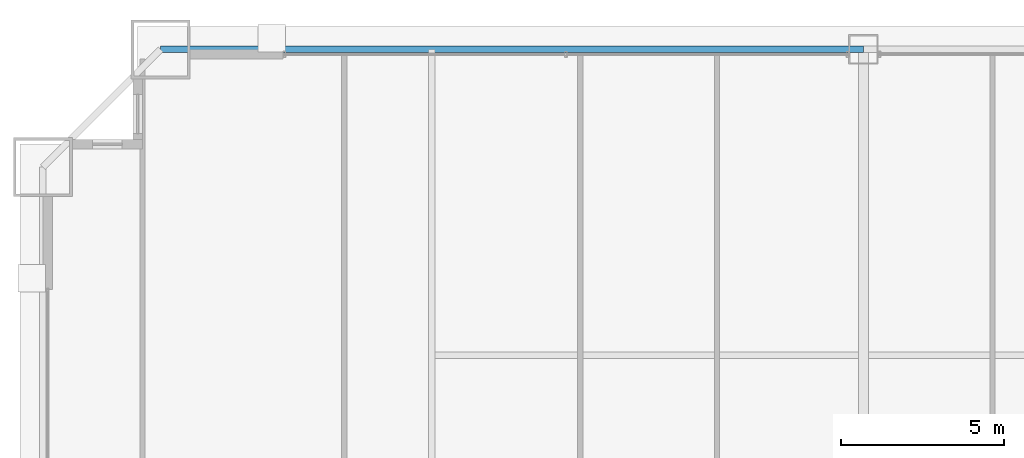
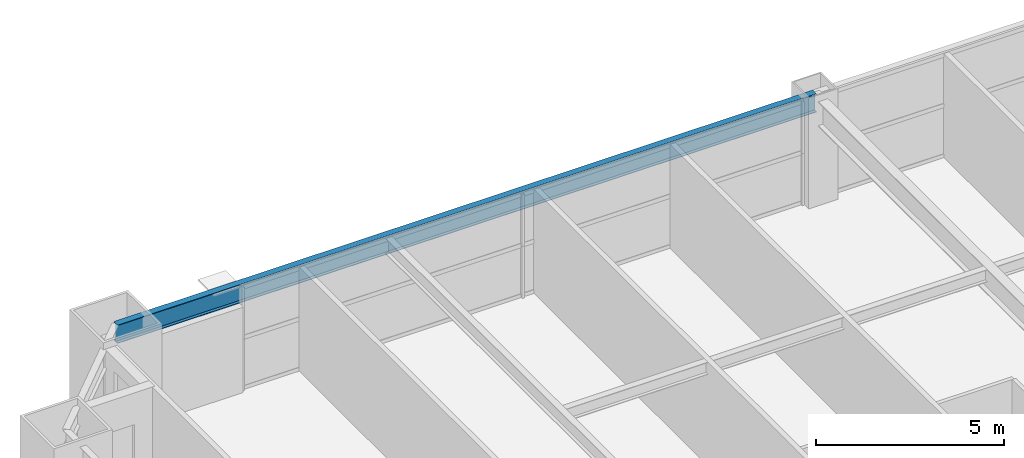
# One storey, part 28 of 45: 1 beam.
"""IFC4 building model written with IfcOpenShell, lengths in metres."""

from ifc_helpers import new_model, si_unit, direction, frame, origin, origin_2d, place, context, subcontext, project, spatial, i_section, extrude, source, transform, mapped, material, material_profile, profile_set, type_object, element, save


model = new_model("IFC4")

# Units and contexts
model_context = context("Model", 3, precision=1e-05, world=origin(), true_north=direction((0.0, 1.0)))
body_context = subcontext(model_context, "Body", "Model", "MODEL_VIEW")
ifc_project = project(units=[si_unit("LENGTHUNIT", "METRE"), si_unit("AREAUNIT", "SQUARE_METRE"), si_unit("VOLUMEUNIT", "CUBIC_METRE"), si_unit("PLANEANGLEUNIT", "RADIAN"), si_unit("MASSUNIT", "GRAM", prefix="KILO"), si_unit("THERMODYNAMICTEMPERATUREUNIT", "KELVIN"), si_unit("POWERUNIT", "WATT")], contexts=[model_context])

# Site, building, storey
site_placement = place(None, origin())
site = spatial("IfcSite", under=ifc_project, at=site_placement, CompositionType="ELEMENT")
building_placement = place(site_placement, origin())
building = spatial("IfcBuilding", under=site, at=building_placement, Name="Yuzanri Waterfront Tower", CompositionType="ELEMENT")
storey_placement = place(building_placement, frame((0.0, 0.0, 49.60009765625)))
storey = spatial("IfcBuildingStorey", under=building, at=storey_placement, Name="L12", CompositionType="ELEMENT", Elevation=49.60009765625)

# Beam
ifc_material = material(Name="Steel Q355B", Category="steel")
ifc_material_profile = material_profile(ifc_material, i_section(OverallWidth=0.199951171875, OverallDepth=0.60009765625, WebThickness=0.010986328125, FlangeThickness=0.01708984375, at=origin_2d()), Name="HN 600x200x11x17")
ifc_profile_set = profile_set([ifc_material_profile], Name="Steel Q355B")
beam_type = type_object("IfcBeamType", Name="Perimeter Spandrel Q355B HN 600x200", PredefinedType="SPANDREL", material=ifc_profile_set)
shared_shape = source(origin(), body_context, "Body", "SweptSolid", [
    extrude(i_section(OverallWidth=0.199951171875, OverallDepth=0.60009765625, WebThickness=0.010986328125, FlangeThickness=0.01708984375, at=origin_2d()), origin(), (0.0, 0.0, 1.0), 21.5),
])
beam_placement = place(storey_placement, frame((37.0, 50.89990234375, 3.079833984375), z_axis=(-1.0, 0.0, 0.0), x_axis=(0.0, -1.0, 0.0)))
element("IfcBeam", 1, at=beam_placement, inside=storey, type_object=beam_type, Name="L12 Perimeter Spandrel N2-N1", PredefinedType="SPANDREL", context=body_context, shape_type="MappedRepresentation", body=[
    mapped(shared_shape, transform((0.0, 0.0, 0.0), scale=1.0)),
])

save(model, "model.ifc")
